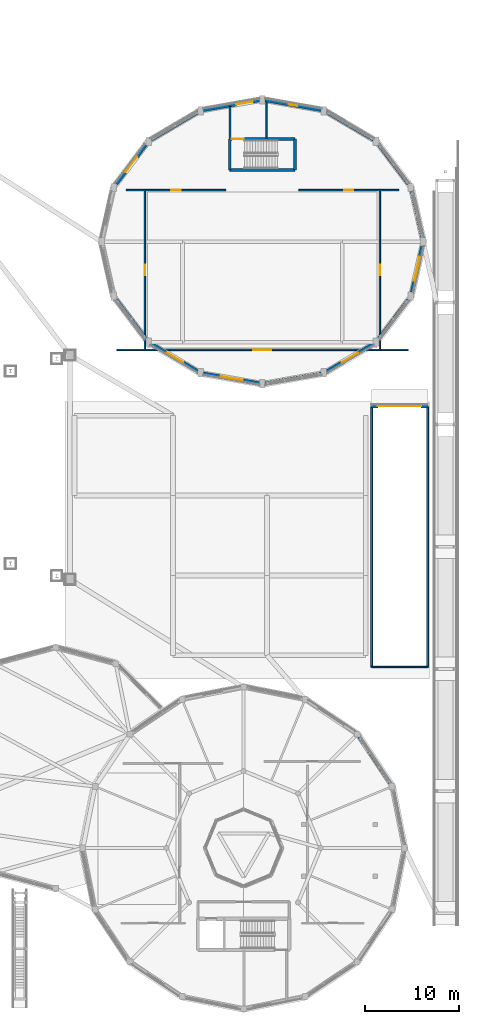
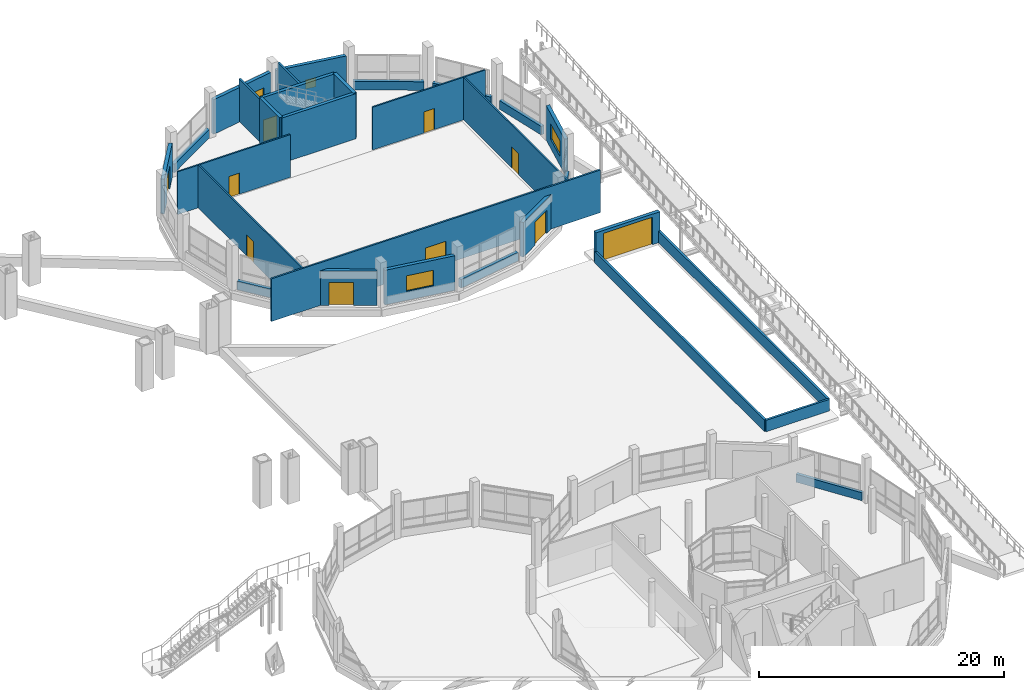
# One storey, part 113 of 129: 30 walls, 11 doors, 3 windows, 14 openings.
"""IFC4 building model written with IfcOpenShell, lengths in metres."""

from ifc_helpers import new_model, si_unit, direction, frame, frame_2d, origin, place, context, subcontext, project, spatial, rectangle, extrude, material, layer, layer_set, type_object, element, fill, save


model = new_model("IFC4")

# Units and contexts
model_context = context("Model", 3, precision=1e-05, world=origin(), true_north=direction((0.0, 1.0)))
body_context = subcontext(model_context, "Body", "Model", "MODEL_VIEW")
ifc_project = project(units=[si_unit("LENGTHUNIT", "METRE"), si_unit("AREAUNIT", "SQUARE_METRE"), si_unit("VOLUMEUNIT", "CUBIC_METRE"), si_unit("PLANEANGLEUNIT", "RADIAN"), si_unit("MASSUNIT", "GRAM", prefix="KILO")], contexts=[model_context])

# Site, building, storey
site_placement = place(None, origin())
site = spatial("IfcSite", under=ifc_project, at=site_placement, CompositionType="ELEMENT")
building_placement = place(site_placement, origin())
building = spatial("IfcBuilding", under=site, at=building_placement, Name="Vespera Passage Community Centre", CompositionType="ELEMENT")
storey_placement = place(building_placement, origin())
storey = spatial("IfcBuildingStorey", under=building, at=storey_placement, Name="L00", CompositionType="ELEMENT", Elevation=0.0)

# Walls
ifc_material_1 = material(Name="Concrete f'c 45 MPa", Category="concrete")
ifc_layer_1 = layer(ifc_material_1, 0.300048828125)
ifc_layer_set_1 = layer_set([ifc_layer_1], Name="Concrete f'c 45 MPa")
wall_type_1 = type_object("IfcWallType", Name="WT-CORE-300I", PredefinedType="SHEAR", material=ifc_layer_set_1)
wall_1_placement = place(storey_placement, frame((146.47509765625, 97.14990234375, 0.0), z_axis=(0.0, 0.0, 1.0), x_axis=(-1.0, 0.0, 0.0)))
element("IfcWall", 1, at=wall_1_placement, inside=storey, type_object=wall_type_1, Name="Core C6 L00 Shear Wall FRONT", PredefinedType="SHEAR", context=body_context, shape_type="SweptSolid", body=[
    extrude(rectangle(XDim=6.9501953125, YDim=0.300048828125, at=frame_2d((3.47509765625, 0.0))), origin(), (0.0, 0.0, 1.0), 4.5),
])
wall_2_placement = place(storey_placement, frame((139.52490234375, 97.14990234375, 0.0), z_axis=(0.0, 0.0, 1.0), x_axis=(0.0, 1.0, 0.0)))
element("IfcWall", 2, at=wall_2_placement, inside=storey, type_object=wall_type_1, Name="Core C6 L00 Shear Wall LEFT", PredefinedType="SHEAR", context=body_context, shape_type="SweptSolid", body=[
    extrude(rectangle(XDim=3.300048828125, YDim=0.300048828125, at=frame_2d((1.64990234375, 0.0))), origin(), (0.0, 0.0, 1.0), 4.5),
])

# Wall, opening, door
wall_3_placement = place(storey_placement, frame((139.52490234375, 100.449951171875, 0.0), z_axis=(0.0, 0.0, 1.0), x_axis=(1.0, 0.0, 0.0)))
wall_3 = element("IfcWall", 3, at=wall_3_placement, inside=storey, type_object=wall_type_1, Name="Core C6 L00 Shear Wall BACK", PredefinedType="SHEAR", context=body_context, shape_type="SweptSolid", body=[
    extrude(rectangle(XDim=6.9501953125, YDim=0.300048828125, at=frame_2d((3.47509765625, 0.0))), origin(), (0.0, 0.0, 1.0), 4.5),
])
opening_1_placement = place(wall_3_placement, frame((0.219970703125, 0.0, 0.0)))
opening_1 = element("IfcOpeningElement", 4, at=opening_1_placement, cuts=wall_3, Name="Opening DT-STAIR-130", PredefinedType="OPENING", context=body_context, shape_type="SweptSolid", body=[
    extrude(rectangle(XDim=1.300048828125, YDim=2.14990234375, at=frame_2d((0.64990234375, 1.074951171875))), frame((0.0, 0.159912109375, 0.0), z_axis=(0.0, -1.0, 0.0), x_axis=(1.0, 0.0, 0.0)), (0.0, 0.0, 1.0), 0.320068359375),
])
ifc_material_2 = material(Name="Painted hollow-metal acoustic door", Category="steel")
door_type_1 = type_object("IfcDoorType", Name="DT-STAIR-130", OperationType="NOTDEFINED", PredefinedType="DOOR", material=ifc_material_2)
door_1_placement = place(opening_1_placement, origin())
door_1 = element("IfcDoor", 5, at=door_1_placement, inside=storey, type_object=door_type_1, Name="Core C6 L00 Exit Stair Door D-107", OperationType="SINGLE_SWING_LEFT", OverallHeight=2.14990234375, OverallWidth=1.300048828125, PredefinedType="DOOR", context=body_context, shape_type="SweptSolid", body=[
    extrude(rectangle(XDim=1.300048828125, YDim=2.14990234375, at=frame_2d((0.64990234375, 1.074951171875))), frame((0.0, 0.02490234375, 0.0), z_axis=(0.0, -1.0, 0.0), x_axis=(1.0, 0.0, 0.0)), (0.0, 0.0, 1.0), 0.050048828125),
])
fill(opening_1, door_1)

# Walls
wall_4_placement = place(storey_placement, frame((146.47509765625, 100.449951171875, 0.0), z_axis=(0.0, 0.0, 1.0), x_axis=(0.0, -1.0, 0.0)))
element("IfcWall", 6, at=wall_4_placement, inside=storey, type_object=wall_type_1, Name="Core C6 L00 Shear Wall RIGHT", PredefinedType="SHEAR", context=body_context, shape_type="SweptSolid", body=[
    extrude(rectangle(XDim=3.300048828125, YDim=0.300048828125, at=frame_2d((1.64990234375, 0.0))), origin(), (0.0, 0.0, 1.0), 4.5),
])
ifc_material_3 = material(Name="Gypsum board acoustic stud partition")
ifc_layer_2 = layer(ifc_material_3, 0.179931640625)
ifc_layer_set_2 = layer_set([ifc_layer_2], Name="Gypsum board acoustic stud partition")
wall_type_2 = type_object("IfcWallType", Name="WT-CORR-180I", PredefinedType="PARTITIONING", material=ifc_layer_set_2)
wall_5_placement = place(storey_placement, frame((139.550048828125, 100.5, 0.0), z_axis=(0.0, 0.0, 1.0), x_axis=(0.0, 1.0, 0.0)))
element("IfcWall", 7, at=wall_5_placement, inside=storey, type_object=wall_type_2, Name="L00 Protected Exit Passageway Wall EP3-W", PredefinedType="PARTITIONING", context=body_context, shape_type="SweptSolid", body=[
    extrude(rectangle(XDim=3.39990234375, YDim=0.179931640625, at=frame_2d((1.699951171875, 0.0))), origin(), (0.0, 0.0, 1.0), 4.2548828125),
])
wall_6_placement = place(storey_placement, frame((143.449951171875, 100.5, 0.0), z_axis=(0.0, 0.0, 1.0), x_axis=(0.0, 1.0, 0.0)))
element("IfcWall", 8, at=wall_6_placement, inside=storey, type_object=wall_type_2, Name="L00 Protected Exit Passageway Wall EP3-E", PredefinedType="PARTITIONING", context=body_context, shape_type="SweptSolid", body=[
    extrude(rectangle(XDim=3.85009765625, YDim=0.179931640625, at=frame_2d((1.925048828125, 0.0))), origin(), (0.0, 0.0, 1.0), 4.2548828125),
])
ifc_material_4 = material(Name="Precast concrete f'c 40 MPa", Category="concrete")
ifc_layer_3 = layer(ifc_material_4, 0.280029296875)
ifc_layer_set_3 = layer_set([ifc_layer_3], Name="Precast concrete f'c 40 MPa")
wall_type_3 = type_object("IfcWallType", Name="WT-EXT-280E", PredefinedType="STANDARD", material=ifc_layer_set_3)
wall_7_placement = place(storey_placement, frame((153.278076171875, 36.812255859375, 0.0), z_axis=(0.0, 0.0, 1.0), x_axis=(0.555573083966, -0.831467707354, 0.0)))
element("IfcWall", 9, at=wall_7_placement, inside=storey, type_object=wall_type_3, Name="V3 L00 Spandrel 2", PredefinedType="STANDARD", context=body_context, shape_type="SweptSolid", body=[
    extrude(rectangle(XDim=6.00048828125, YDim=0.280029296875, at=frame_2d((3.000244140625, 0.0))), origin(), (0.0, 0.0, 1.0), 0.800048828125),
])
ifc_material_5 = material(Name="Precast concrete f'c 40 MPa", Category="concrete")
ifc_layer_4 = layer(ifc_material_5, 0.320068359375)
ifc_layer_set_4 = layer_set([ifc_layer_4], Name="Precast concrete f'c 40 MPa")
wall_type_4 = type_object("IfcWallType", Name="WT-EXT-320E", PredefinedType="STANDARD", material=ifc_layer_set_4)
wall_8_placement = place(storey_placement, frame((158.894287109375, 94.852783203125, 0.0), z_axis=(0.0, 0.0, 1.0), x_axis=(0.219744533343, -0.97555745093, 0.0)))
element("IfcWall", 10, at=wall_8_placement, inside=storey, type_object=wall_type_4, Name="V2 L00 Spandrel 1", PredefinedType="STANDARD", context=body_context, shape_type="SweptSolid", body=[
    extrude(rectangle(XDim=5.05078125, YDim=0.320068359375, at=frame_2d((2.525390625, 0.0))), origin(), (0.0, 0.0, 1.0), 0.85009765625),
])
wall_9_placement = place(storey_placement, frame((155.37646484375, 99.80078125, 0.0), z_axis=(0.0, 0.0, 1.0), x_axis=(0.603398282319, -0.797439974477, 0.0)))
element("IfcWall", 11, at=wall_9_placement, inside=storey, type_object=wall_type_4, Name="V2 L00 Spandrel 2", PredefinedType="STANDARD", context=body_context, shape_type="SweptSolid", body=[
    extrude(rectangle(XDim=5.19873046875, YDim=0.320068359375, at=frame_2d((2.599365234375, 0.0))), origin(), (0.0, 0.0, 1.0), 0.85009765625),
])
wall_10_placement = place(storey_placement, frame((149.822509765625, 103.286376953125, 0.0), z_axis=(0.0, 0.0, 1.0), x_axis=(0.861235880181, -0.508205429614, 0.0)))
element("IfcWall", 12, at=wall_10_placement, inside=storey, type_object=wall_type_4, Name="V2 L00 Spandrel 3", PredefinedType="STANDARD", context=body_context, shape_type="SweptSolid", body=[
    extrude(rectangle(XDim=5.79443359375, YDim=0.320068359375, at=frame_2d((2.897216796875, 0.0))), origin(), (0.0, 0.0, 1.0), 0.85009765625),
])

# Wall, opening, window
wall_11_placement = place(storey_placement, frame((143.275390625, 104.551513671875, 0.0), z_axis=(0.0, 0.0, 1.0), x_axis=(0.984927418504, -0.172968148166, 0.0)))
wall_11 = element("IfcWall", 13, at=wall_11_placement, inside=storey, type_object=wall_type_4, Name="V2 L00 Facade Wall 4", PredefinedType="STANDARD", context=body_context, shape_type="SweptSolid", body=[
    extrude(rectangle(XDim=6.0849609375, YDim=0.320068359375, at=frame_2d((3.04248046875, 0.0))), origin(), (0.0, 0.0, 1.0), 3.445068359375),
])
opening_2_placement = place(wall_11_placement, frame((2.59228515625, 0.0, 0.89990234375)))
opening_2 = element("IfcOpeningElement", 14, at=opening_2_placement, cuts=wall_11, Name="Opening WN-01E", PredefinedType="OPENING", context=body_context, shape_type="SweptSolid", body=[
    extrude(rectangle(XDim=0.89990234375, YDim=0.89990234375, at=frame_2d((0.449951171875, 0.449951171875))), frame((0.0, 0.170166015625, 0.0), z_axis=(0.0, -1.0, 0.0), x_axis=(1.0, 0.0, 0.0)), (0.0, 0.0, 1.0), 0.340087890625),
])
ifc_material_6 = material(Name="Low-E insulated vision glass", Category="glass")
window_type_1 = type_object("IfcWindowType", Name="WN-01E", PartitioningType="SINGLE_PANEL", PredefinedType="WINDOW", material=ifc_material_6)
window_1_placement = place(opening_2_placement, origin())
window_1 = element("IfcWindow", 15, at=window_1_placement, inside=storey, type_object=window_type_1, Name="Window WN-V2-L00-P04", OverallHeight=0.89990234375, OverallWidth=0.89990234375, PartitioningType="SINGLE_PANEL", PredefinedType="WINDOW", context=body_context, shape_type="SweptSolid", body=[
    extrude(rectangle(XDim=0.89990234375, YDim=0.89990234375, at=frame_2d((0.449951171875, 0.449951171875))), frame((0.0, 0.030029296875, 0.0), z_axis=(0.0, -1.0, 0.0), x_axis=(1.0, 0.0, 0.0)), (0.0, 0.0, 1.0), 0.06005859375),
])
fill(opening_2, window_1)

# Wall, opening, door
wall_12_placement = place(storey_placement, frame((136.7314453125, 103.4990234375, 0.0), z_axis=(0.0, 0.0, 1.0), x_axis=(0.984927418504, 0.172968148166, 0.0)))
wall_12 = element("IfcWall", 16, at=wall_12_placement, inside=storey, type_object=wall_type_4, Name="V2 L00 Facade Wall 5", PredefinedType="STANDARD", context=body_context, shape_type="SweptSolid", body=[
    extrude(rectangle(XDim=6.0849609375, YDim=0.320068359375, at=frame_2d((3.04248046875, 0.0))), origin(), (0.0, 0.0, 1.0), 3.445068359375),
])
opening_3_placement = place(wall_12_placement, frame((3.534912109375, 0.0, 0.0)))
opening_3 = element("IfcOpeningElement", 17, at=opening_3_placement, cuts=wall_12, Name="Opening DT-E05", PredefinedType="OPENING", context=body_context, shape_type="SweptSolid", body=[
    extrude(rectangle(XDim=1.800048828125, YDim=2.25, at=frame_2d((0.89990234375, 1.125))), frame((0.0, 0.170166015625, 0.0), z_axis=(0.0, -1.0, 0.0), x_axis=(1.0, 0.0, 0.0)), (0.0, 0.0, 1.0), 0.340087890625),
])
ifc_material_7 = material(Name="Anodized aluminium 6063-T6", Category="aluminium")
door_type_2 = type_object("IfcDoorType", Name="DT-E05", OperationType="NOTDEFINED", PredefinedType="DOOR", material=ifc_material_7)
door_2_placement = place(opening_3_placement, origin())
door_2 = element("IfcDoor", 18, at=door_2_placement, inside=storey, type_object=door_type_2, Name="Exit Stair ST07 Exterior Discharge Door", OperationType="SINGLE_SWING_RIGHT", OverallHeight=2.25, OverallWidth=1.800048828125, PredefinedType="DOOR", context=body_context, shape_type="SweptSolid", body=[
    extrude(rectangle(XDim=1.800048828125, YDim=2.25, at=frame_2d((0.89990234375, 1.125))), frame((0.0, 0.02490234375, 0.0), z_axis=(0.0, -1.0, 0.0), x_axis=(1.0, 0.0, 0.0)), (0.0, 0.0, 1.0), 0.050048828125),
])
fill(opening_3, door_2)

# Wall
wall_13_placement = place(storey_placement, frame((131.18701171875, 100.341552734375, 0.0), z_axis=(0.0, 0.0, 1.0), x_axis=(0.861235880181, 0.508205429614, 0.0)))
element("IfcWall", 19, at=wall_13_placement, inside=storey, type_object=wall_type_4, Name="V2 L00 Spandrel 6", PredefinedType="STANDARD", context=body_context, shape_type="SweptSolid", body=[
    extrude(rectangle(XDim=5.79443359375, YDim=0.320068359375, at=frame_2d((2.897216796875, 0.0))), origin(), (0.0, 0.0, 1.0), 0.85009765625),
])

# Wall, opening, door
wall_14_placement = place(storey_placement, frame((127.486572265625, 95.655029296875, 0.0), z_axis=(0.0, 0.0, 1.0), x_axis=(0.603398282319, 0.797439974477, 0.0)))
wall_14 = element("IfcWall", 20, at=wall_14_placement, inside=storey, type_object=wall_type_4, Name="V2 L00 Facade Wall 7", PredefinedType="STANDARD", context=body_context, shape_type="SweptSolid", body=[
    extrude(rectangle(XDim=5.19873046875, YDim=0.320068359375, at=frame_2d((2.599365234375, 0.0))), origin(), (0.0, 0.0, 1.0), 3.445068359375),
])
opening_4_placement = place(wall_14_placement, frame((1.599365234375, 0.0, 0.0)))
opening_4 = element("IfcOpeningElement", 21, at=opening_4_placement, cuts=wall_14, Name="Opening DT-E06", PredefinedType="OPENING", context=body_context, shape_type="SweptSolid", body=[
    extrude(rectangle(XDim=2.0, YDim=2.300048828125, at=frame_2d((1.0, 1.14990234375))), frame((0.0, 0.170166015625, 0.0), z_axis=(0.0, -1.0, 0.0), x_axis=(1.0, 0.0, 0.0)), (0.0, 0.0, 1.0), 0.340087890625),
])
ifc_material_8 = material(Name="Anodized aluminium 6063-T6", Category="aluminium")
door_type_3 = type_object("IfcDoorType", Name="DT-E06", OperationType="NOTDEFINED", PredefinedType="DOOR", material=ifc_material_8)
door_3_placement = place(opening_4_placement, origin())
door_3 = element("IfcDoor", 22, at=door_3_placement, inside=storey, type_object=door_type_3, Name="Sports Hall Exit Door 7", OperationType="SINGLE_SWING_LEFT", OverallHeight=2.300048828125, OverallWidth=2.0, PredefinedType="DOOR", context=body_context, shape_type="SweptSolid", body=[
    extrude(rectangle(XDim=2.0, YDim=2.300048828125, at=frame_2d((1.0, 1.14990234375))), frame((0.0, 0.02490234375, 0.0), z_axis=(0.0, -1.0, 0.0), x_axis=(1.0, 0.0, 0.0)), (0.0, 0.0, 1.0), 0.050048828125),
])
fill(opening_4, door_3)

# Wall
wall_15_placement = place(storey_placement, frame((130.62353515625, 79.19921875, 0.0), z_axis=(0.0, 0.0, 1.0), x_axis=(-0.603398282319, 0.797439974477, 0.0)))
element("IfcWall", 23, at=wall_15_placement, inside=storey, type_object=wall_type_4, Name="V2 L00 Spandrel 10", PredefinedType="STANDARD", context=body_context, shape_type="SweptSolid", body=[
    extrude(rectangle(XDim=5.19873046875, YDim=0.320068359375, at=frame_2d((2.599365234375, 0.0))), origin(), (0.0, 0.0, 1.0), 0.85009765625),
])

# Wall, opening, door
wall_16_placement = place(storey_placement, frame((136.177490234375, 75.713623046875, 0.0), z_axis=(0.0, 0.0, 1.0), x_axis=(-0.861235880181, 0.508205429614, 0.0)))
wall_16 = element("IfcWall", 24, at=wall_16_placement, inside=storey, type_object=wall_type_4, Name="V2 L00 Facade Wall 11", PredefinedType="STANDARD", context=body_context, shape_type="SweptSolid", body=[
    extrude(rectangle(XDim=5.79443359375, YDim=0.320068359375, at=frame_2d((2.897216796875, 0.0))), origin(), (0.0, 0.0, 1.0), 3.445068359375),
])
opening_5_placement = place(wall_16_placement, frame((1.897216796875, 0.0, 0.0)))
opening_5 = element("IfcOpeningElement", 25, at=opening_5_placement, cuts=wall_16, Name="Opening DT-E06", PredefinedType="OPENING", context=body_context, shape_type="SweptSolid", body=[
    extrude(rectangle(XDim=2.0, YDim=2.300048828125, at=frame_2d((1.0, 1.14990234375))), frame((0.0, 0.170166015625, 0.0), z_axis=(0.0, -1.0, 0.0), x_axis=(1.0, 0.0, 0.0)), (0.0, 0.0, 1.0), 0.340087890625),
])
door_4_placement = place(opening_5_placement, origin())
door_4 = element("IfcDoor", 26, at=door_4_placement, inside=storey, type_object=door_type_3, Name="Sports Hall Exit Door 11", OperationType="SINGLE_SWING_RIGHT", OverallHeight=2.300048828125, OverallWidth=2.0, PredefinedType="DOOR", context=body_context, shape_type="SweptSolid", body=[
    extrude(rectangle(XDim=2.0, YDim=2.300048828125, at=frame_2d((1.0, 1.14990234375))), frame((0.0, 0.02490234375, 0.0), z_axis=(0.0, -1.0, 0.0), x_axis=(1.0, 0.0, 0.0)), (0.0, 0.0, 1.0), 0.050048828125),
])
fill(opening_5, door_4)

# Wall, opening, window
wall_17_placement = place(storey_placement, frame((142.724609375, 74.448486328125, 0.0), z_axis=(0.0, 0.0, 1.0), x_axis=(-0.984927418504, 0.172968148166, 0.0)))
wall_17 = element("IfcWall", 27, at=wall_17_placement, inside=storey, type_object=wall_type_4, Name="V2 L00 Facade Wall 12", PredefinedType="STANDARD", context=body_context, shape_type="SweptSolid", body=[
    extrude(rectangle(XDim=6.0849609375, YDim=0.320068359375, at=frame_2d((3.04248046875, 0.0))), origin(), (0.0, 0.0, 1.0), 3.445068359375),
])
opening_6_placement = place(wall_17_placement, frame((1.867431640625, 0.0, 0.89990234375)))
opening_6 = element("IfcOpeningElement", 28, at=opening_6_placement, cuts=wall_17, Name="Opening WN-14E", PredefinedType="OPENING", context=body_context, shape_type="SweptSolid", body=[
    extrude(rectangle(XDim=2.35009765625, YDim=1.550048828125, at=frame_2d((1.175048828125, 0.77490234375))), frame((0.0, 0.170166015625, 0.0), z_axis=(0.0, -1.0, 0.0), x_axis=(1.0, 0.0, 0.0)), (0.0, 0.0, 1.0), 0.340087890625),
])
ifc_material_9 = material(Name="Low-E insulated vision glass", Category="glass")
window_type_2 = type_object("IfcWindowType", Name="WN-14E", PartitioningType="SINGLE_PANEL", PredefinedType="WINDOW", material=ifc_material_9)
window_2_placement = place(opening_6_placement, origin())
window_2 = element("IfcWindow", 29, at=window_2_placement, inside=storey, type_object=window_type_2, Name="Window WN-V2-L00-P12", OverallHeight=1.550048828125, OverallWidth=2.35009765625, PartitioningType="SINGLE_PANEL", PredefinedType="WINDOW", context=body_context, shape_type="SweptSolid", body=[
    extrude(rectangle(XDim=2.35009765625, YDim=1.550048828125, at=frame_2d((1.175048828125, 0.77490234375))), frame((0.0, 0.030029296875, 0.0), z_axis=(0.0, -1.0, 0.0), x_axis=(1.0, 0.0, 0.0)), (0.0, 0.0, 1.0), 0.06005859375),
])
fill(opening_6, window_2)

# Wall
wall_18_placement = place(storey_placement, frame((149.2685546875, 75.5009765625, 0.0), z_axis=(0.0, 0.0, 1.0), x_axis=(-0.984927418504, -0.172968148166, 0.0)))
element("IfcWall", 30, at=wall_18_placement, inside=storey, type_object=wall_type_4, Name="V2 L00 Spandrel 13", PredefinedType="STANDARD", context=body_context, shape_type="SweptSolid", body=[
    extrude(rectangle(XDim=6.0849609375, YDim=0.320068359375, at=frame_2d((3.04248046875, 0.0))), origin(), (0.0, 0.0, 1.0), 0.85009765625),
])

# Wall, opening, door
wall_19_placement = place(storey_placement, frame((154.81298828125, 78.658447265625, 0.0), z_axis=(0.0, 0.0, 1.0), x_axis=(-0.861235880181, -0.508205429614, 0.0)))
wall_19 = element("IfcWall", 31, at=wall_19_placement, inside=storey, type_object=wall_type_4, Name="V2 L00 Facade Wall 14", PredefinedType="STANDARD", context=body_context, shape_type="SweptSolid", body=[
    extrude(rectangle(XDim=5.79443359375, YDim=0.320068359375, at=frame_2d((2.897216796875, 0.0))), origin(), (0.0, 0.0, 1.0), 3.445068359375),
])
opening_7_placement = place(wall_19_placement, frame((1.897216796875, 0.0, 0.0)))
opening_7 = element("IfcOpeningElement", 32, at=opening_7_placement, cuts=wall_19, Name="Opening DT-E06", PredefinedType="OPENING", context=body_context, shape_type="SweptSolid", body=[
    extrude(rectangle(XDim=2.0, YDim=2.300048828125, at=frame_2d((1.0, 1.14990234375))), frame((0.0, 0.170166015625, 0.0), z_axis=(0.0, -1.0, 0.0), x_axis=(1.0, 0.0, 0.0)), (0.0, 0.0, 1.0), 0.340087890625),
])
door_5_placement = place(opening_7_placement, origin())
door_5 = element("IfcDoor", 33, at=door_5_placement, inside=storey, type_object=door_type_3, Name="Sports Hall Exit Door 14", OperationType="SINGLE_SWING_LEFT", OverallHeight=2.300048828125, OverallWidth=2.0, PredefinedType="DOOR", context=body_context, shape_type="SweptSolid", body=[
    extrude(rectangle(XDim=2.0, YDim=2.300048828125, at=frame_2d((1.0, 1.14990234375))), frame((0.0, 0.02490234375, 0.0), z_axis=(0.0, -1.0, 0.0), x_axis=(1.0, 0.0, 0.0)), (0.0, 0.0, 1.0), 0.050048828125),
])
fill(opening_7, door_5)

# Wall
wall_20_placement = place(storey_placement, frame((158.513427734375, 83.344970703125, 0.0), z_axis=(0.0, 0.0, 1.0), x_axis=(-0.603398282319, -0.797439974477, 0.0)))
element("IfcWall", 34, at=wall_20_placement, inside=storey, type_object=wall_type_4, Name="V2 L00 Spandrel 15", PredefinedType="STANDARD", context=body_context, shape_type="SweptSolid", body=[
    extrude(rectangle(XDim=5.19873046875, YDim=0.320068359375, at=frame_2d((2.599365234375, 0.0))), origin(), (0.0, 0.0, 1.0), 0.85009765625),
])

# Wall, opening, window
wall_21_placement = place(storey_placement, frame((160.004150390625, 89.074462890625, 0.0), z_axis=(0.0, 0.0, 1.0), x_axis=(-0.219744533343, -0.97555745093, 0.0)))
wall_21 = element("IfcWall", 35, at=wall_21_placement, inside=storey, type_object=wall_type_4, Name="V2 L00 Facade Wall 16", PredefinedType="STANDARD", context=body_context, shape_type="SweptSolid", body=[
    extrude(rectangle(XDim=5.05078125, YDim=0.320068359375, at=frame_2d((2.525390625, 0.0))), origin(), (0.0, 0.0, 1.0), 3.445068359375),
])
opening_8_placement = place(wall_21_placement, frame((1.225341796875, 0.0, 0.89990234375)))
opening_8 = element("IfcOpeningElement", 36, at=opening_8_placement, cuts=wall_21, Name="Opening WN-15E", PredefinedType="OPENING", context=body_context, shape_type="SweptSolid", body=[
    extrude(rectangle(XDim=2.60009765625, YDim=1.550048828125, at=frame_2d((1.300048828125, 0.77490234375))), frame((0.0, 0.170166015625, 0.0), z_axis=(0.0, -1.0, 0.0), x_axis=(1.0, 0.0, 0.0)), (0.0, 0.0, 1.0), 0.340087890625),
])
ifc_material_10 = material(Name="Low-E insulated vision glass", Category="glass")
window_type_3 = type_object("IfcWindowType", Name="WN-15E", PartitioningType="SINGLE_PANEL", PredefinedType="WINDOW", material=ifc_material_10)
window_3_placement = place(opening_8_placement, origin())
window_3 = element("IfcWindow", 37, at=window_3_placement, inside=storey, type_object=window_type_3, Name="Window WN-V2-L00-P16", OverallHeight=1.550048828125, OverallWidth=2.60009765625, PartitioningType="SINGLE_PANEL", PredefinedType="WINDOW", context=body_context, shape_type="SweptSolid", body=[
    extrude(rectangle(XDim=2.60009765625, YDim=1.550048828125, at=frame_2d((1.300048828125, 0.77490234375))), frame((0.0, 0.030029296875, 0.0), z_axis=(0.0, -1.0, 0.0), x_axis=(1.0, 0.0, 0.0)), (0.0, 0.0, 1.0), 0.06005859375),
])
fill(opening_8, window_3)

# Wall, opening, door
wall_22_placement = place(storey_placement, frame((154.60009765625, 72.0, 0.0), z_axis=(0.0, 0.0, 1.0), x_axis=(1.0, 0.0, 0.0)))
wall_22 = element("IfcWall", 38, at=wall_22_placement, inside=storey, type_object=wall_type_4, Name="Basement Car Park Ramp Exterior Portal Wall", PredefinedType="STANDARD", context=body_context, shape_type="SweptSolid", body=[
    extrude(rectangle(XDim=6.0, YDim=0.320068359375, at=frame_2d((3.0, 0.0))), origin(), (0.0, 0.0, 1.0), 3.050048828125),
])
opening_9_placement = place(wall_22_placement, frame((0.699951171875, 0.0, 0.0)))
opening_9 = element("IfcOpeningElement", 39, at=opening_9_placement, cuts=wall_22, Name="Opening DT-VGATE", PredefinedType="OPENING", context=body_context, shape_type="SweptSolid", body=[
    extrude(rectangle(XDim=4.60009765625, YDim=2.75, at=frame_2d((2.300048828125, 1.375))), frame((0.0, 0.170166015625, 0.0), z_axis=(0.0, -1.0, 0.0), x_axis=(1.0, 0.0, 0.0)), (0.0, 0.0, 1.0), 0.340087890625),
])
ifc_material_11 = material(Name="Anodized aluminium 6063-T6", Category="aluminium")
door_type_4 = type_object("IfcDoorType", Name="DT-VGATE", OperationType="NOTDEFINED", PredefinedType="GATE", material=ifc_material_11)
door_6_placement = place(opening_9_placement, origin())
door_6 = element("IfcDoor", 40, at=door_6_placement, inside=storey, type_object=door_type_4, Name="Basement Car Park Vehicle Gate VG-01", OperationType="ROLLINGUP", OverallHeight=2.75, OverallWidth=4.60009765625, PredefinedType="GATE", context=body_context, shape_type="SweptSolid", body=[
    extrude(rectangle(XDim=4.60009765625, YDim=2.75, at=frame_2d((2.300048828125, 1.375))), frame((0.0, 0.02490234375, 0.0), z_axis=(0.0, -1.0, 0.0), x_axis=(1.0, 0.0, 0.0)), (0.0, 0.0, 1.0), 0.050048828125),
])
fill(opening_9, door_6)

# Walls
ifc_material_12 = material(Name="Precast concrete f'c 40 MPa", Category="concrete")
ifc_layer_5 = layer(ifc_material_12, 0.199951171875)
ifc_layer_set_5 = layer_set([ifc_layer_5], Name="Precast concrete f'c 40 MPa")
wall_type_5 = type_object("IfcWallType", Name="WT-PAR-200E", PredefinedType="PARAPET", material=ifc_layer_set_5)
wall_23_placement = place(storey_placement, frame((154.6201171875, 71.949951171875, 0.0), z_axis=(0.0, 0.0, 1.0), x_axis=(0.0, -1.0, 0.0)))
element("IfcWall", 41, at=wall_23_placement, inside=storey, type_object=wall_type_5, Name="Vehicle Ramp Opening Parapet 1", PredefinedType="PARAPET", context=body_context, shape_type="SweptSolid", body=[
    extrude(rectangle(XDim=27.699951171875, YDim=0.199951171875, at=frame_2d((13.85009765625, 0.0))), origin(), (0.0, 0.0, 1.0), 1.14990234375),
])
wall_24_placement = place(storey_placement, frame((154.6201171875, 44.25, 0.0), z_axis=(0.0, 0.0, 1.0), x_axis=(1.0, 0.0, 0.0)))
element("IfcWall", 42, at=wall_24_placement, inside=storey, type_object=wall_type_5, Name="Vehicle Ramp Opening Parapet 2", PredefinedType="PARAPET", context=body_context, shape_type="SweptSolid", body=[
    extrude(rectangle(XDim=5.9599609375, YDim=0.199951171875, at=frame_2d((2.97998046875, 0.0))), origin(), (0.0, 0.0, 1.0), 1.14990234375),
])
wall_25_placement = place(storey_placement, frame((160.580078125, 44.25, 0.0), z_axis=(0.0, 0.0, 1.0), x_axis=(0.0, 1.0, 0.0)))
element("IfcWall", 43, at=wall_25_placement, inside=storey, type_object=wall_type_5, Name="Vehicle Ramp Opening Parapet 3", PredefinedType="PARAPET", context=body_context, shape_type="SweptSolid", body=[
    extrude(rectangle(XDim=27.699951171875, YDim=0.199951171875, at=frame_2d((13.85009765625, 0.0))), origin(), (0.0, 0.0, 1.0), 1.14990234375),
])

# Wall, opening, door
ifc_material_13 = material(Name="Gypsum board acoustic stud partition")
ifc_layer_6 = layer(ifc_material_13, 0.139892578125)
ifc_layer_set_6 = layer_set([ifc_layer_6], Name="Gypsum board acoustic stud partition")
wall_type_6 = type_object("IfcWallType", Name="WT-ROOM-140I", PredefinedType="PARTITIONING", material=ifc_layer_set_6)
wall_26_placement = place(storey_placement, frame((130.5, 78.0, 0.0), z_axis=(0.0, 0.0, 1.0), x_axis=(0.0, 1.0, 0.0)))
wall_26 = element("IfcWall", 44, at=wall_26_placement, inside=storey, type_object=wall_type_6, Name="L00 Interior Partition V2-L00-CW.1", PredefinedType="PARTITIONING", context=body_context, shape_type="SweptSolid", body=[
    extrude(rectangle(XDim=17.0, YDim=0.139892578125, at=frame_2d((8.5, 0.0))), origin(), (0.0, 0.0, 1.0), 4.2548828125),
])
opening_10_placement = place(wall_26_placement, frame((7.93994140625, 0.0, 0.0)))
opening_10 = element("IfcOpeningElement", 45, at=opening_10_placement, cuts=wall_26, Name="Opening DT-INT-112", PredefinedType="OPENING", context=body_context, shape_type="SweptSolid", body=[
    extrude(rectangle(XDim=1.1201171875, YDim=2.10009765625, at=frame_2d((0.56005859375, 1.050048828125))), frame((0.0, 0.079833984375, 0.0), z_axis=(0.0, -1.0, 0.0), x_axis=(1.0, 0.0, 0.0)), (0.0, 0.0, 1.0), 0.159912109375),
])
ifc_material_14 = material(Name="Solid-core maple veneer door", Category="wood")
door_type_5 = type_object("IfcDoorType", Name="DT-INT-112", OperationType="NOTDEFINED", PredefinedType="DOOR", material=ifc_material_14)
door_7_placement = place(opening_10_placement, origin())
door_7 = element("IfcDoor", 46, at=door_7_placement, inside=storey, type_object=door_type_5, Name="L00 Interior Door D-346", OperationType="SINGLE_SWING_RIGHT", OverallHeight=2.10009765625, OverallWidth=1.1201171875, PredefinedType="DOOR", context=body_context, shape_type="SweptSolid", body=[
    extrude(rectangle(XDim=1.1201171875, YDim=2.10009765625, at=frame_2d((0.56005859375, 1.050048828125))), frame((0.0, 0.02490234375, 0.0), z_axis=(0.0, -1.0, 0.0), x_axis=(1.0, 0.0, 0.0)), (0.0, 0.0, 1.0), 0.050048828125),
])
fill(opening_10, door_7)

wall_27_placement = place(storey_placement, frame((155.5, 78.0, 0.0), z_axis=(0.0, 0.0, 1.0), x_axis=(0.0, 1.0, 0.0)))
wall_27 = element("IfcWall", 47, at=wall_27_placement, inside=storey, type_object=wall_type_6, Name="L00 Interior Partition V2-L00-CE.1", PredefinedType="PARTITIONING", context=body_context, shape_type="SweptSolid", body=[
    extrude(rectangle(XDim=17.0, YDim=0.139892578125, at=frame_2d((8.5, 0.0))), origin(), (0.0, 0.0, 1.0), 4.2548828125),
])
opening_11_placement = place(wall_27_placement, frame((7.93994140625, 0.0, 0.0)))
opening_11 = element("IfcOpeningElement", 48, at=opening_11_placement, cuts=wall_27, Name="Opening DT-INT-112", PredefinedType="OPENING", context=body_context, shape_type="SweptSolid", body=[
    extrude(rectangle(XDim=1.1201171875, YDim=2.10009765625, at=frame_2d((0.56005859375, 1.050048828125))), frame((0.0, 0.079833984375, 0.0), z_axis=(0.0, -1.0, 0.0), x_axis=(1.0, 0.0, 0.0)), (0.0, 0.0, 1.0), 0.159912109375),
])
door_8_placement = place(opening_11_placement, origin())
door_8 = element("IfcDoor", 49, at=door_8_placement, inside=storey, type_object=door_type_5, Name="L00 Interior Door D-347", OperationType="SINGLE_SWING_LEFT", OverallHeight=2.10009765625, OverallWidth=1.1201171875, PredefinedType="DOOR", context=body_context, shape_type="SweptSolid", body=[
    extrude(rectangle(XDim=1.1201171875, YDim=2.10009765625, at=frame_2d((0.56005859375, 1.050048828125))), frame((0.0, 0.02490234375, 0.0), z_axis=(0.0, -1.0, 0.0), x_axis=(1.0, 0.0, 0.0)), (0.0, 0.0, 1.0), 0.050048828125),
])
fill(opening_11, door_8)

wall_28_placement = place(storey_placement, frame((128.5, 95.0, 0.0), z_axis=(0.0, 0.0, 1.0), x_axis=(1.0, 0.0, 0.0)))
wall_28 = element("IfcWall", 50, at=wall_28_placement, inside=storey, type_object=wall_type_6, Name="L00 Interior Partition V2-L00-CN.1", PredefinedType="PARTITIONING", context=body_context, shape_type="SweptSolid", body=[
    extrude(rectangle(XDim=10.625, YDim=0.139892578125, at=frame_2d((5.3125, 0.0))), origin(), (0.0, 0.0, 1.0), 4.2548828125),
])
opening_12_placement = place(wall_28_placement, frame((4.822509765625, 0.0, 0.0)))
opening_12 = element("IfcOpeningElement", 51, at=opening_12_placement, cuts=wall_28, Name="Opening DT-INT-98", PredefinedType="OPENING", context=body_context, shape_type="SweptSolid", body=[
    extrude(rectangle(XDim=0.97998046875, YDim=2.10009765625, at=frame_2d((0.489990234375, 1.050048828125))), frame((0.0, 0.079833984375, 0.0), z_axis=(0.0, -1.0, 0.0), x_axis=(1.0, 0.0, 0.0)), (0.0, 0.0, 1.0), 0.159912109375),
])
ifc_material_15 = material(Name="Solid-core maple veneer door", Category="wood")
door_type_6 = type_object("IfcDoorType", Name="DT-INT-98", OperationType="NOTDEFINED", PredefinedType="DOOR", material=ifc_material_15)
door_9_placement = place(opening_12_placement, origin())
door_9 = element("IfcDoor", 52, at=door_9_placement, inside=storey, type_object=door_type_6, Name="L00 Interior Door D-348", OperationType="SINGLE_SWING_RIGHT", OverallHeight=2.10009765625, OverallWidth=0.97998046875, PredefinedType="DOOR", context=body_context, shape_type="SweptSolid", body=[
    extrude(rectangle(XDim=0.97998046875, YDim=2.10009765625, at=frame_2d((0.489990234375, 1.050048828125))), frame((0.0, 0.02490234375, 0.0), z_axis=(0.0, -1.0, 0.0), x_axis=(1.0, 0.0, 0.0)), (0.0, 0.0, 1.0), 0.050048828125),
])
fill(opening_12, door_9)

wall_29_placement = place(storey_placement, frame((146.875, 95.0, 0.0), z_axis=(0.0, 0.0, 1.0), x_axis=(1.0, 0.0, 0.0)))
wall_29 = element("IfcWall", 53, at=wall_29_placement, inside=storey, type_object=wall_type_6, Name="L00 Interior Partition V2-L00-CN.2", PredefinedType="PARTITIONING", context=body_context, shape_type="SweptSolid", body=[
    extrude(rectangle(XDim=10.625, YDim=0.139892578125, at=frame_2d((5.3125, 0.0))), origin(), (0.0, 0.0, 1.0), 4.2548828125),
])
opening_13_placement = place(wall_29_placement, frame((4.822509765625, 0.0, 0.0)))
opening_13 = element("IfcOpeningElement", 54, at=opening_13_placement, cuts=wall_29, Name="Opening DT-INT-98", PredefinedType="OPENING", context=body_context, shape_type="SweptSolid", body=[
    extrude(rectangle(XDim=0.97998046875, YDim=2.10009765625, at=frame_2d((0.489990234375, 1.050048828125))), frame((0.0, 0.079833984375, 0.0), z_axis=(0.0, -1.0, 0.0), x_axis=(1.0, 0.0, 0.0)), (0.0, 0.0, 1.0), 0.159912109375),
])
door_10_placement = place(opening_13_placement, origin())
door_10 = element("IfcDoor", 55, at=door_10_placement, inside=storey, type_object=door_type_6, Name="L00 Interior Door D-349", OperationType="SINGLE_SWING_LEFT", OverallHeight=2.10009765625, OverallWidth=0.97998046875, PredefinedType="DOOR", context=body_context, shape_type="SweptSolid", body=[
    extrude(rectangle(XDim=0.97998046875, YDim=2.10009765625, at=frame_2d((0.489990234375, 1.050048828125))), frame((0.0, 0.02490234375, 0.0), z_axis=(0.0, -1.0, 0.0), x_axis=(1.0, 0.0, 0.0)), (0.0, 0.0, 1.0), 0.050048828125),
])
fill(opening_13, door_10)

ifc_material_16 = material(Name="Gypsum board acoustic stud partition")
ifc_layer_7 = layer(ifc_material_16, 0.159912109375)
ifc_layer_set_7 = layer_set([ifc_layer_7], Name="Gypsum board acoustic stud partition")
wall_type_7 = type_object("IfcWallType", Name="WT-STC-160I", PredefinedType="PARTITIONING", material=ifc_layer_set_7)
wall_30_placement = place(storey_placement, frame((127.5, 78.0, 0.0), z_axis=(0.0, 0.0, 1.0), x_axis=(1.0, 0.0, 0.0)))
wall_30 = element("IfcWall", 56, at=wall_30_placement, inside=storey, type_object=wall_type_7, Name="L00 Interior Partition V2-L00-CS.1", PredefinedType="PARTITIONING", context=body_context, shape_type="SweptSolid", body=[
    extrude(rectangle(XDim=31.0, YDim=0.159912109375, at=frame_2d((15.5, 0.0))), origin(), (0.0, 0.0, 1.0), 4.2548828125),
])
opening_14_placement = place(wall_30_placement, frame((14.550048828125, 0.0, 0.0)))
opening_14 = element("IfcOpeningElement", 57, at=opening_14_placement, cuts=wall_30, Name="Opening DT-HALL-190", PredefinedType="OPENING", context=body_context, shape_type="SweptSolid", body=[
    extrude(rectangle(XDim=1.89990234375, YDim=2.25, at=frame_2d((0.949951171875, 1.125))), frame((0.0, 0.090087890625, 0.0), z_axis=(0.0, -1.0, 0.0), x_axis=(1.0, 0.0, 0.0)), (0.0, 0.0, 1.0), 0.179931640625),
])
ifc_material_17 = material(Name="Painted hollow-metal acoustic door", Category="steel")
door_type_7 = type_object("IfcDoorType", Name="DT-HALL-190", OperationType="NOTDEFINED", PredefinedType="DOOR", material=ifc_material_17)
door_11_placement = place(opening_14_placement, origin())
door_11 = element("IfcDoor", 58, at=door_11_placement, inside=storey, type_object=door_type_7, Name="L00 Interior Door D-345", OperationType="SINGLE_SWING_LEFT", OverallHeight=2.25, OverallWidth=1.89990234375, PredefinedType="DOOR", context=body_context, shape_type="SweptSolid", body=[
    extrude(rectangle(XDim=1.89990234375, YDim=2.25, at=frame_2d((0.949951171875, 1.125))), frame((0.0, 0.02490234375, 0.0), z_axis=(0.0, -1.0, 0.0), x_axis=(1.0, 0.0, 0.0)), (0.0, 0.0, 1.0), 0.050048828125),
])
fill(opening_14, door_11)

save(model, "model.ifc")
